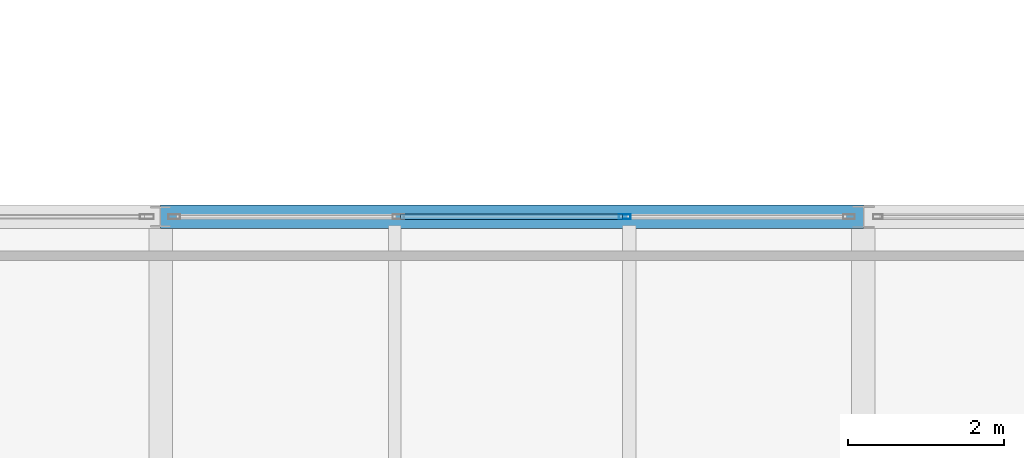
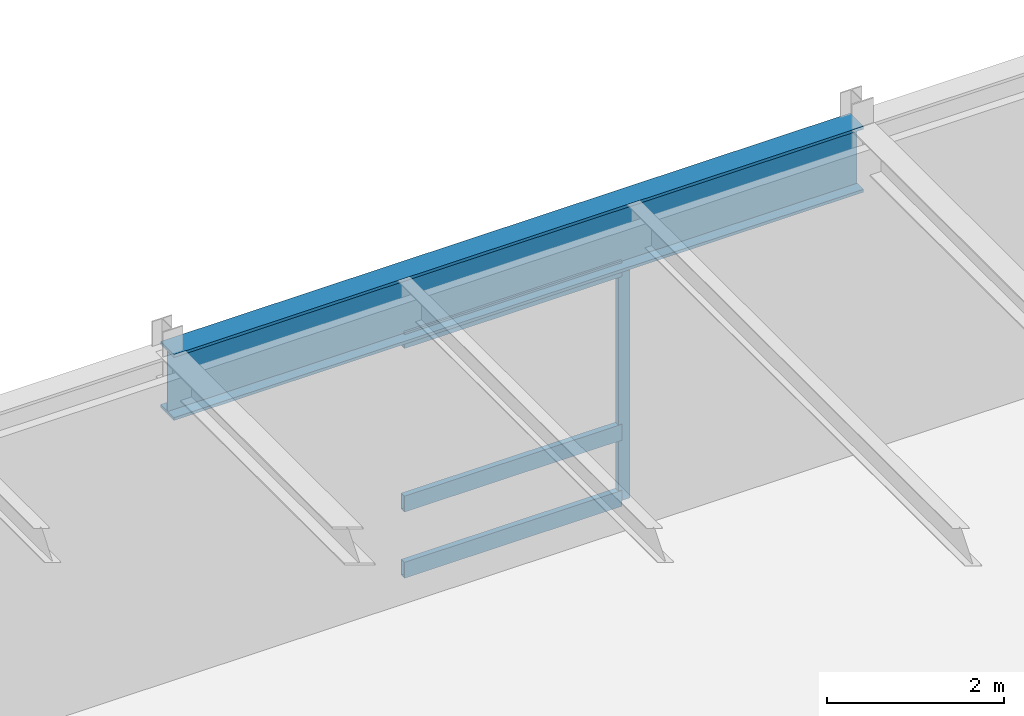
# One storey, part 24 of 115: 4 members, 1 beam, 1 element without a shape of its own.
"""IFC4 building model written with IfcOpenShell, lengths in metres."""

from ifc_helpers import new_model, si_unit, direction, frame, origin, origin_2d, place, context, subcontext, project, spatial, hollow_rectangle, i_section, extrude, material, layer, layer_set, material_profile, profile_set, type_object, element, aggregate, save


model = new_model("IFC4")

# Units and contexts
model_context = context("Model", 3, precision=1e-05, world=origin(), true_north=direction((0.0, 1.0)))
body_context = subcontext(model_context, "Body", "Model", "MODEL_VIEW")
ifc_project = project(units=[si_unit("LENGTHUNIT", "METRE"), si_unit("AREAUNIT", "SQUARE_METRE"), si_unit("VOLUMEUNIT", "CUBIC_METRE"), si_unit("PLANEANGLEUNIT", "RADIAN"), si_unit("MASSUNIT", "GRAM", prefix="KILO")], contexts=[model_context])

# Site, building, storey
site_placement = place(None, origin())
site = spatial("IfcSite", under=ifc_project, at=site_placement, CompositionType="ELEMENT")
building_placement = place(site_placement, origin())
building = spatial("IfcBuilding", under=site, at=building_placement, Name="Montelvaro Courts of Justice", CompositionType="ELEMENT")
storey_placement = place(building_placement, frame((0.0, 0.0, 9.89990234375)))
storey = spatial("IfcBuildingStorey", under=building, at=storey_placement, Name="L02", CompositionType="ELEMENT", Elevation=9.89990234375)

# Beam
ifc_material_1 = material(Name="Steel S355", Category="steel")
ifc_material_profile_1 = material_profile(ifc_material_1, i_section(OverallWidth=0.302001953125, OverallDepth=0.909912109375, WebThickness=0.02099609375, FlangeThickness=0.0400390625, at=origin_2d()), Name="HEM 900")
ifc_profile_set_1 = profile_set([ifc_material_profile_1], Name="Steel S355")
beam_type = type_object("IfcBeamType", Name="Beam_HEM900", PredefinedType="USERDEFINED", material=ifc_profile_set_1)
beam_placement = place(storey_placement, frame((27.0, 54.0, 3.705078125), z_axis=(1.0, 0.0, 0.0), x_axis=(0.0, 1.0, 0.0)))
element("IfcBeam", 1, at=beam_placement, inside=storey, type_object=beam_type, Name="Beam B-31 L02", ObjectType="GIRDER", PredefinedType="USERDEFINED", context=body_context, shape_type="SweptSolid", body=[
    extrude(i_section(OverallWidth=0.302001953125, OverallDepth=0.909912109375, WebThickness=0.02099609375, FlangeThickness=0.0400390625, at=origin_2d()), origin(), (0.0, 0.0, 1.0), 9.0),
])

# Curtain wall, members
ifc_material_2 = material(Name="Anodised aluminium EN AW-6063", Category="aluminium")
ifc_layer = layer(ifc_material_2, 0.159912109375)
ifc_layer_set = layer_set([ifc_layer], Name="Anodised aluminium EN AW-6063")
curtain_wall_type = type_object("IfcCurtainWallType", Name="CurtainWall_18_868x418", PredefinedType="USERDEFINED", material=ifc_layer_set)
curtain_wall_placement = place(storey_placement, origin())
curtain_wall = element("IfcCurtainWall", 2, at=curtain_wall_placement, inside=storey, type_object=curtain_wall_type, Name="Curtain Wall CW-18 (L02)", ObjectType="CURTAIN WALL", PredefinedType="USERDEFINED")
ifc_material_profile_2 = material_profile(ifc_material_2, hollow_rectangle(XDim=0.06005859375, YDim=0.14990234375, WallThickness=0.00390625, at=origin_2d()), Name="ALU-M 60x150")
ifc_profile_set_2 = profile_set([ifc_material_profile_2], Name="Anodised aluminium EN AW-6063")
member_type_1 = type_object("IfcMemberType", Name="CurtainWall_Mullion_60x150", PredefinedType="MULLION", material=ifc_profile_set_2)
member_1_placement = place(storey_placement, frame((32.945068359375, 54.0, 0.0), z_axis=(0.0, 0.0, 1.0), x_axis=(0.0, -1.0, 0.0)))
member_1 = element("IfcMember", 3, at=member_1_placement, type_object=member_type_1, Name="CW-18 mullion 2", PredefinedType="MULLION", context=body_context, shape_type="SweptSolid", body=[
    extrude(hollow_rectangle(XDim=0.06005859375, YDim=0.14990234375, WallThickness=0.00390625, at=origin_2d()), origin(), (0.0, 0.0, 1.0), 3.2451171875),
])
ifc_material_profile_3 = material_profile(ifc_material_2, hollow_rectangle(XDim=0.074951171875, YDim=0.219970703125, WallThickness=0.005615234375, at=origin_2d()), Name="ALU-T 75x220")
ifc_profile_set_3 = profile_set([ifc_material_profile_3], Name="Anodised aluminium EN AW-6063")
member_type_2 = type_object("IfcMemberType", Name="CurtainWall_Transom_75x220", PredefinedType="USERDEFINED", material=ifc_profile_set_3)
member_2_placement = place(storey_placement, frame((32.9150390625, 54.0, 0.03759765625), z_axis=(-1.0, 0.0, 0.0), x_axis=(0.0, -1.0, 0.0)))
member_2 = element("IfcMember", 4, at=member_2_placement, type_object=member_type_2, Name="CW-18 transom 2.1", ObjectType="TRANSOM", PredefinedType="USERDEFINED", context=body_context, shape_type="SweptSolid", body=[
    extrude(hollow_rectangle(XDim=0.074951171875, YDim=0.219970703125, WallThickness=0.005615234375, at=origin_2d()), origin(), (0.0, 0.0, 1.0), 2.840087890625),
])
member_3_placement = place(storey_placement, frame((32.9150390625, 54.0, 0.9501953125), z_axis=(-1.0, 0.0, 0.0), x_axis=(0.0, -1.0, 0.0)))
member_3 = element("IfcMember", 5, at=member_3_placement, type_object=member_type_2, Name="CW-18 transom 2.2", ObjectType="TRANSOM", PredefinedType="USERDEFINED", context=body_context, shape_type="SweptSolid", body=[
    extrude(hollow_rectangle(XDim=0.074951171875, YDim=0.219970703125, WallThickness=0.005615234375, at=origin_2d()), origin(), (0.0, 0.0, 1.0), 2.840087890625),
])
member_4_placement = place(storey_placement, frame((32.9150390625, 54.0, 3.20751953125), z_axis=(-1.0, 0.0, 0.0), x_axis=(0.0, -1.0, 0.0)))
member_4 = element("IfcMember", 6, at=member_4_placement, type_object=member_type_2, Name="CW-18 transom 2.3", ObjectType="TRANSOM", PredefinedType="USERDEFINED", context=body_context, shape_type="SweptSolid", body=[
    extrude(hollow_rectangle(XDim=0.074951171875, YDim=0.219970703125, WallThickness=0.005615234375, at=origin_2d()), origin(), (0.0, 0.0, 1.0), 2.840087890625),
])
aggregate(curtain_wall, [member_1, member_2, member_3, member_4])

save(model, "model.ifc")
